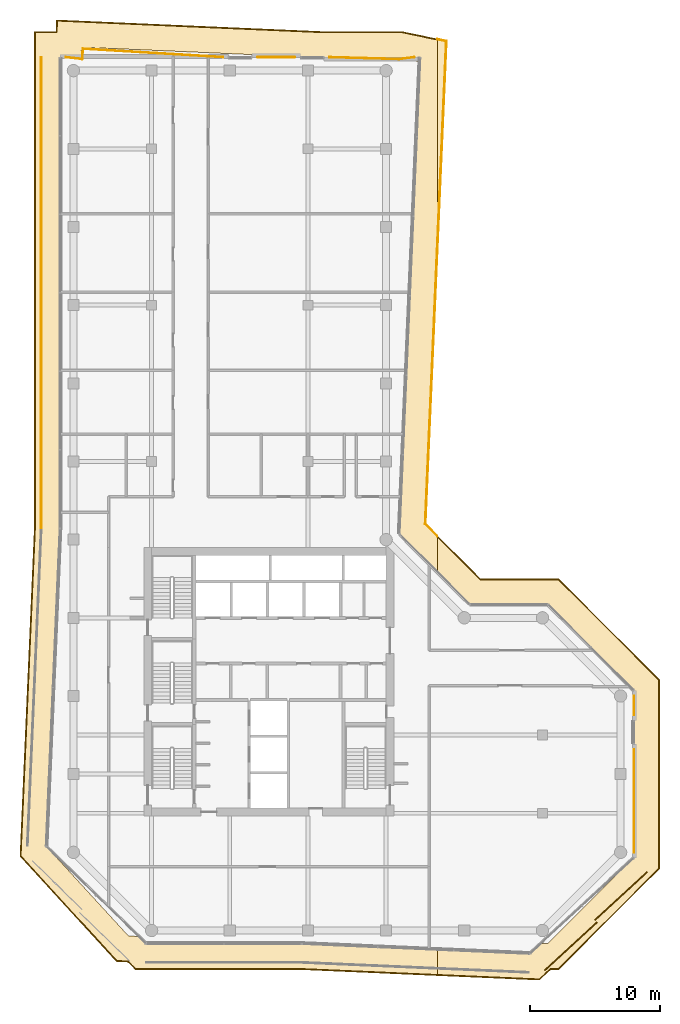
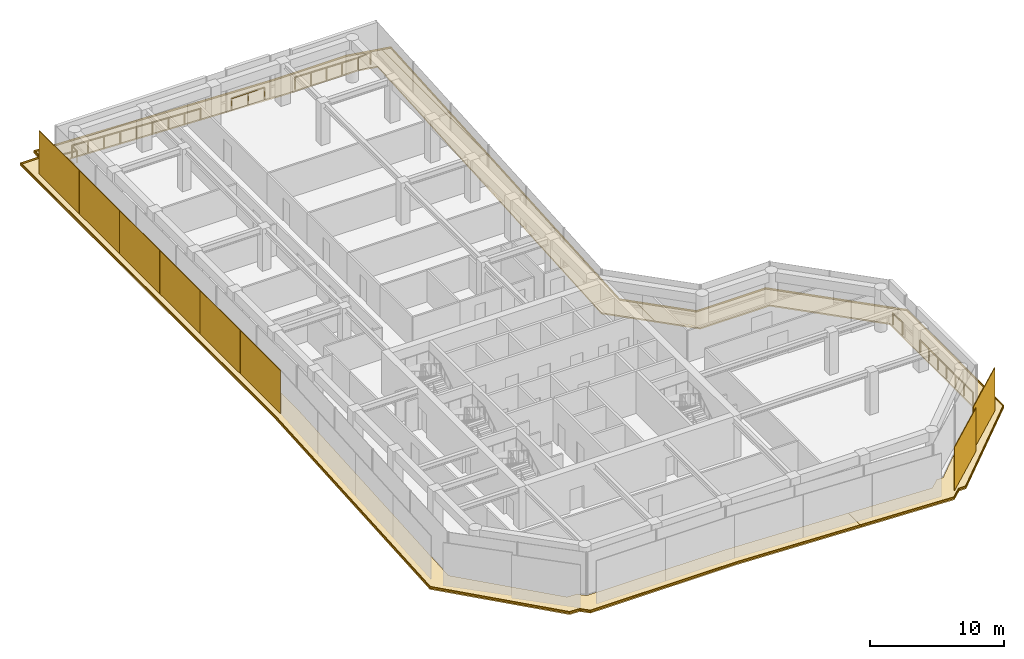
# One storey, part 21 of 21: 15 coverings, 5 railings.
"""IFC4 building model written with IfcOpenShell, lengths in metres."""

from ifc_helpers import new_model, si_unit, direction, frame, origin, origin_2d, place, context, subcontext, project, spatial, polyline, rectangle, circle, outline, extrude, material, layer, layer_set, type_object, element, save


model = new_model("IFC4")

# Units and contexts
model_context = context("Model", 3, precision=1e-05, world=origin(), true_north=direction((0.0, 1.0)))
body_context = subcontext(model_context, "Body", "Model", "MODEL_VIEW")
ifc_project = project(units=[si_unit("LENGTHUNIT", "METRE"), si_unit("AREAUNIT", "SQUARE_METRE"), si_unit("VOLUMEUNIT", "CUBIC_METRE"), si_unit("PLANEANGLEUNIT", "RADIAN"), si_unit("MASSUNIT", "GRAM", prefix="KILO")], contexts=[model_context])

# Site, building, storey
site_placement = place(None, origin())
site = spatial("IfcSite", under=ifc_project, at=site_placement, CompositionType="ELEMENT")
building_placement = place(site_placement, origin())
building = spatial("IfcBuilding", under=site, at=building_placement, Name="Welwitschia Terrace Campus", CompositionType="ELEMENT")
storey_placement = place(building_placement, frame((0.0, 0.0, 159.199951171875)))
storey = spatial("IfcBuildingStorey", under=building, at=storey_placement, Name="L35", CompositionType="ELEMENT", Elevation=159.199951171875)

# Coverings
ifc_material_1 = material(Name="Bronze mesh aluminium screen", Category="aluminium")
ifc_layer_1 = layer(ifc_material_1, 0.06005859375)
ifc_layer_set_1 = layer_set([ifc_layer_1], Name="Bronze mesh aluminium screen")
covering_type_1 = type_object("IfcCoveringType", Name="Bronze screen 60", PredefinedType="USERDEFINED", material=ifc_layer_set_1)
for number, where, z_axis, x_axis, name in (
    (1, (38.18798828125, -5.2041015625, 0.0), (0.0, 0.0, 1.0), (0.735310822995, 0.677730030017, 0.0), "Screen L35.4.0"),
    (2, (42.034912109375, -1.357421875, 0.0), (0.0, 0.0, 1.0), (0.735310822995, 0.677730030017, 0.0), "Screen L35.4.1"),
):
    element("IfcCovering", number, at=place(storey_placement, frame(where, z_axis=z_axis, x_axis=x_axis)), inside=storey, type_object=covering_type_1, Name=name, ObjectType="SCREEN", PredefinedType="USERDEFINED", context=body_context, shape_type="SweptSolid", body=[
        extrude(rectangle(XDim=5.415771484375, YDim=0.06005859375, at=origin_2d()), origin(), (0.0, 0.0, 1.0), 3.949951171875),
    ])
for number, where, z_axis, x_axis, name in (
    (3, (-2.4599609375, 60.0166015625, 0.0), (0.0, 0.0, 1.0), (0.0, -1.0, 0.0), "Screen L35.11.0"),
    (4, (-2.4599609375, 53.98974609375, 0.0), (0.0, 0.0, 1.0), (0.0, -1.0, 0.0), "Screen L35.11.1"),
    (5, (-2.4599609375, 47.962890625, 0.0), (0.0, 0.0, 1.0), (0.0, -1.0, 0.0), "Screen L35.11.2"),
    (6, (-2.4599609375, 41.93603515625, 0.0), (0.0, 0.0, 1.0), (0.0, -1.0, 0.0), "Screen L35.11.3"),
    (7, (-2.4599609375, 35.9091796875, 0.0), (0.0, 0.0, 1.0), (0.0, -1.0, 0.0), "Screen L35.11.4"),
    (8, (-2.4599609375, 29.882568359375, 0.0), (0.0, 0.0, 1.0), (0.0, -1.0, 0.0), "Screen L35.11.5"),
):
    element("IfcCovering", number, at=place(storey_placement, frame(where, z_axis=z_axis, x_axis=x_axis)), inside=storey, type_object=covering_type_1, Name=name, ObjectType="SCREEN", PredefinedType="USERDEFINED", context=body_context, shape_type="SweptSolid", body=[
        extrude(rectangle(XDim=6.0068359375, YDim=0.06005859375, at=origin_2d()), origin(), (0.0, 0.0, 1.0), 3.949951171875),
    ])

# Railings
ifc_material_2 = material(Name="Stainless steel grade 316", Category="steel")
railing_type = type_object("IfcRailingType", Name="Guard 1100", PredefinedType="GUARDRAIL", material=ifc_material_2)
railing_1_placement = place(storey_placement, frame((-0.580078125, 63.030029296875, 0.0)))
element("IfcRailing", 9, at=railing_1_placement, inside=storey, type_object=railing_type, Name="Guard floor edge L35.0", PredefinedType="GUARDRAIL", context=body_context, shape_type="SweptSolid", body=[
    extrude(circle(Radius=0.02392578125, at=origin_2d()), frame((0.0, 0.0, 1.076171875), z_axis=(0.993110225507, -0.117183957921, 0.0), x_axis=(0.117183957921, 0.993110225507, 0.0)), (0.0, 0.0, 1.0), 1.28125),
    extrude(circle(Radius=0.02392578125, at=origin_2d()), frame((1.2724609375, -0.150146484375, 1.076171875), z_axis=(0.043689131465, 0.99904517405, 0.0), x_axis=(-0.99904517405, 0.043689131465, 0.0)), (0.0, 0.0, 1.0), 0.799072265625),
    extrude(circle(Radius=0.02392578125, at=origin_2d()), frame((1.307373046875, 0.648193359375, 1.076171875), z_axis=(0.998191009914, -0.060122439458, 0.0), x_axis=(0.060122439458, 0.998191009914, 0.0)), (0.0, 0.0, 1.0), 10.78125),
    extrude(circle(Radius=0.02099609375, at=origin_2d()), origin(), (0.0, 0.0, 1.0), 1.052001953125),
    extrude(circle(Radius=0.02099609375, at=origin_2d()), frame((1.2724609375, -0.150146484375, 0.0)), (0.0, 0.0, 1.0), 1.052001953125),
    extrude(circle(Radius=0.02099609375, at=origin_2d()), frame((1.307373046875, 0.648193359375, 0.0)), (0.0, 0.0, 1.0), 1.052001953125),
    extrude(circle(Radius=0.02099609375, at=origin_2d()), frame((2.652587890625, 0.567138671875, 0.0)), (0.0, 0.0, 1.0), 1.052001953125),
    extrude(circle(Radius=0.02099609375, at=origin_2d()), frame((3.997802734375, 0.486083984375, 0.0)), (0.0, 0.0, 1.0), 1.052001953125),
    extrude(circle(Radius=0.02099609375, at=origin_2d()), frame((5.343017578125, 0.405029296875, 0.0)), (0.0, 0.0, 1.0), 1.052001953125),
    extrude(circle(Radius=0.02099609375, at=origin_2d()), frame((6.688232421875, 0.32421875, 0.0)), (0.0, 0.0, 1.0), 1.052001953125),
    extrude(circle(Radius=0.02099609375, at=origin_2d()), frame((8.033447265625, 0.2431640625, 0.0)), (0.0, 0.0, 1.0), 1.052001953125),
    extrude(circle(Radius=0.02099609375, at=origin_2d()), frame((9.378662109375, 0.162109375, 0.0)), (0.0, 0.0, 1.0), 1.052001953125),
    extrude(circle(Radius=0.02099609375, at=origin_2d()), frame((10.723876953125, 0.0810546875, 0.0)), (0.0, 0.0, 1.0), 1.052001953125),
    extrude(circle(Radius=0.02099609375, at=origin_2d()), frame((12.069091796875, 0.0, 0.0)), (0.0, 0.0, 1.0), 1.052001953125),
])
railing_2_placement = place(storey_placement, frame((14.14697265625, 63.030029296875, 0.0)))
element("IfcRailing", 10, at=railing_2_placement, inside=storey, type_object=railing_type, Name="Guard floor edge L35.1", PredefinedType="GUARDRAIL", context=body_context, shape_type="SweptSolid", body=[
    extrude(circle(Radius=0.02392578125, at=origin_2d()), frame((0.0, 0.0, 1.076171875), z_axis=(1.0, 0.0, 0.0), x_axis=(0.0, 1.0, 0.0)), (0.0, 0.0, 1.0), 2.842529296875),
    extrude(circle(Radius=0.02099609375, at=origin_2d()), origin(), (0.0, 0.0, 1.0), 1.052001953125),
    extrude(circle(Radius=0.02099609375, at=origin_2d()), frame((1.42138671875, 0.0, 0.0)), (0.0, 0.0, 1.0), 1.052001953125),
    extrude(circle(Radius=0.02099609375, at=origin_2d()), frame((2.842529296875, 0.0, 0.0)), (0.0, 0.0, 1.0), 1.052001953125),
])
railing_3_placement = place(storey_placement, frame((19.658203125, 63.030029296875, 0.0)))
element("IfcRailing", 11, at=railing_3_placement, inside=storey, type_object=railing_type, Name="Guard floor edge L35.2", PredefinedType="GUARDRAIL", context=body_context, shape_type="SweptSolid", body=[
    extrude(circle(Radius=0.02392578125, at=origin_2d()), frame((0.0, 0.0, 1.076171875), z_axis=(0.999603362193, -0.028162355937, 0.0), x_axis=(0.028162355937, 0.999603362193, 0.0)), (0.0, 0.0, 1.0), 5.33154296875),
    extrude(circle(Radius=0.02392578125, at=origin_2d()), frame((5.329345703125, -0.150146484375, 1.076171875), z_axis=(0.991981055885, 0.126386647891, 0.0), x_axis=(-0.126386647891, 0.991981055885, 0.0)), (0.0, 0.0, 1.0), 1.18798828125),
    extrude(circle(Radius=0.02099609375, at=origin_2d()), origin(), (0.0, 0.0, 1.0), 1.052001953125),
    extrude(circle(Radius=0.02099609375, at=origin_2d()), frame((1.332275390625, -0.03759765625, 0.0)), (0.0, 0.0, 1.0), 1.052001953125),
    extrude(circle(Radius=0.02099609375, at=origin_2d()), frame((2.66455078125, -0.0751953125, 0.0)), (0.0, 0.0, 1.0), 1.052001953125),
    extrude(circle(Radius=0.02099609375, at=origin_2d()), frame((3.9970703125, -0.112548828125, 0.0)), (0.0, 0.0, 1.0), 1.052001953125),
    extrude(circle(Radius=0.02099609375, at=origin_2d()), frame((5.329345703125, -0.150146484375, 0.0)), (0.0, 0.0, 1.0), 1.052001953125),
    extrude(circle(Radius=0.02099609375, at=origin_2d()), frame((6.5078125, 0.0, 0.0)), (0.0, 0.0, 1.0), 1.052001953125),
])
railing_4_placement = place(storey_placement, frame((43.030029296875, 9.8896484375, 0.0)))
element("IfcRailing", 12, at=railing_4_placement, inside=storey, type_object=railing_type, Name="Guard floor edge L35.3", PredefinedType="GUARDRAIL", context=body_context, shape_type="SweptSolid", body=[
    extrude(circle(Radius=0.02392578125, at=origin_2d()), frame((0.0, 0.0, 1.076171875), z_axis=(0.0, -1.0, 0.0), x_axis=(1.0, 0.0, 0.0)), (0.0, 0.0, 1.0), 7.892333984375),
    extrude(circle(Radius=0.02099609375, at=origin_2d()), origin(), (0.0, 0.0, 1.0), 1.052001953125),
    extrude(circle(Radius=0.02099609375, at=origin_2d()), frame((0.0, -1.3154296875, 0.0)), (0.0, 0.0, 1.0), 1.052001953125),
    extrude(circle(Radius=0.02099609375, at=origin_2d()), frame((0.0, -2.630859375, 0.0)), (0.0, 0.0, 1.0), 1.052001953125),
    extrude(circle(Radius=0.02099609375, at=origin_2d()), frame((0.0, -3.9462890625, 0.0)), (0.0, 0.0, 1.0), 1.052001953125),
    extrude(circle(Radius=0.02099609375, at=origin_2d()), frame((0.0, -5.261474609375, 0.0)), (0.0, 0.0, 1.0), 1.052001953125),
    extrude(circle(Radius=0.02099609375, at=origin_2d()), frame((0.0, -6.576904296875, 0.0)), (0.0, 0.0, 1.0), 1.052001953125),
    extrude(circle(Radius=0.02099609375, at=origin_2d()), frame((0.0, -7.892333984375, 0.0)), (0.0, 0.0, 1.0), 1.052001953125),
])
railing_5_placement = place(storey_placement, frame((43.030029296875, 14.0029296875, 0.0)))
element("IfcRailing", 13, at=railing_5_placement, inside=storey, type_object=railing_type, Name="Guard floor edge L35.4", PredefinedType="GUARDRAIL", context=body_context, shape_type="SweptSolid", body=[
    extrude(circle(Radius=0.02392578125, at=origin_2d()), frame((0.0, 0.0, 1.076171875), z_axis=(0.0, -1.0, 0.0), x_axis=(1.0, 0.0, 0.0)), (0.0, 0.0, 1.0), 1.4658203125),
    extrude(circle(Radius=0.02099609375, at=origin_2d()), origin(), (0.0, 0.0, 1.0), 1.052001953125),
    extrude(circle(Radius=0.02099609375, at=origin_2d()), frame((0.0, -1.4658203125, 0.0)), (0.0, 0.0, 1.0), 1.052001953125),
])

# Coverings
ifc_material_3 = material(Name="Bronze anodised aluminium", Category="aluminium")
ifc_layer_2 = layer(ifc_material_3, 0.1201171875)
ifc_layer_set_2 = layer_set([ifc_layer_2], Name="Bronze anodised aluminium")
covering_type_2 = type_object("IfcCoveringType", Name="Sunshade band 2000", PredefinedType="USERDEFINED", material=ifc_layer_set_2)
covering_1_placement = place(storey_placement, frame((0.0, 0.0, -0.25)))
element("IfcCovering", 14, at=covering_1_placement, inside=storey, type_object=covering_type_2, Name="SUNSHADE L35.SW0", ObjectType="SUNSHADE", PredefinedType="USERDEFINED", context=body_context, shape_type="SweptSolid", body=[
    extrude(outline(polyline([(-1.298095703125, 65.888671875), (19.055419921875, 65.0), (25.2060546875, 65.0), (27.933837890625, 64.431884765625), (27.933837890625, 47.64404296875), (27.041259765625, 27.201416015625), (27.933837890625, 26.308837890625), (27.933837890625, 23.48046875), (25.004638671875, 26.409423828125), (26.587890625, 62.669189453125), (25.0, 63.0), (19.01171875, 63.0), (0.612548828125, 63.80322265625), (0.577392578125, 63.0), (-1.0, 63.0), (-1.0, 26.868408203125), (-2.066162109375, 2.447509765625), (4.22607421875, -4.419189453125), (5.04052734375, -4.454833984375), (5.585693359375, -5.0), (17.52783203125, -5.0), (27.933837890625, -5.454345703125), (27.933837890625, -7.456298828125), (17.484130859375, -7.0), (4.75732421875, -7.0), (4.17626953125, -6.4189453125), (3.31103515625, -6.381103515625), (-4.1005859375, 1.707275390625), (-3.0, 26.912109375), (-3.0, 65.0), (-1.3369140625, 65.0), (-1.298095703125, 65.888671875)])), origin(), (0.0, 0.0, 1.0), 0.1201171875),
])
covering_2_placement = place(storey_placement, frame((0.0, 0.0, -0.25)))
element("IfcCovering", 15, at=covering_2_placement, inside=storey, type_object=covering_type_2, Name="SUNSHADE L35.SE0", ObjectType="SUNSHADE", PredefinedType="USERDEFINED", context=body_context, shape_type="SweptSolid", body=[
    extrude(outline(polyline([(28.66015625, 64.280517578125), (27.933837890625, 47.64404296875), (27.933837890625, 64.431884765625), (28.66015625, 64.280517578125)])), origin(), (0.0, 0.0, 1.0), 0.1201171875),
])
covering_3_placement = place(storey_placement, frame((0.0, 0.0, -0.25)))
element("IfcCovering", 16, at=covering_3_placement, inside=storey, type_object=covering_type_2, Name="SUNSHADE L35.SE1", ObjectType="SUNSHADE", PredefinedType="USERDEFINED", context=body_context, shape_type="SweptSolid", body=[
    extrude(outline(polyline([(31.24267578125, 23.0), (37.24267578125, 23.0), (45.0, 15.24267578125), (45.0, 0.75732421875), (37.24267578125, -7.0), (36.63671875, -7.0), (35.765380859375, -7.798095703125), (27.933837890625, -7.456298828125), (27.933837890625, -5.454345703125), (35.025146484375, -5.763916015625), (35.85888671875, -5.0), (36.414306640625, -5.0), (43.0, 1.585693359375), (43.0, 14.414306640625), (36.414306640625, 21.0), (30.414306640625, 21.0), (27.933837890625, 23.48046875), (27.933837890625, 26.308837890625), (31.24267578125, 23.0)])), origin(), (0.0, 0.0, 1.0), 0.1201171875),
])
ifc_material_4 = material(Name="Bronze anodised aluminium", Category="aluminium")
ifc_layer_3 = layer(ifc_material_4, 0.06005859375)
ifc_layer_set_3 = layer_set([ifc_layer_3], Name="Bronze anodised aluminium")
covering_type_3 = type_object("IfcCoveringType", Name="Sunshade lip 60", PredefinedType="USERDEFINED", material=ifc_layer_set_3)
covering_4_placement = place(storey_placement, frame((0.0, 0.0, -0.1298828125)))
element("IfcCovering", 17, at=covering_4_placement, inside=storey, type_object=covering_type_3, Name="SUNSHADE LIP L35.SW0.0", ObjectType="SUNSHADE", PredefinedType="USERDEFINED", context=body_context, shape_type="SweptSolid", body=[
    extrude(outline(polyline([(19.055419921875, 65.0), (25.2060546875, 65.0), (27.933837890625, 64.431884765625), (27.933837890625, 64.37060546875), (25.199951171875, 64.93994140625), (19.053955078125, 64.93994140625), (-1.240966796875, 65.826171875), (-1.279541015625, 64.93994140625), (-2.93994140625, 64.93994140625), (-2.93994140625, 26.910888671875), (-4.039306640625, 1.7294921875), (3.338623046875, -6.322265625), (4.202392578125, -6.360107421875), (4.7822265625, -6.93994140625), (17.485595703125, -6.93994140625), (27.933837890625, -7.396240234375), (27.933837890625, -7.456298828125), (17.484130859375, -7.0), (4.75732421875, -7.0), (4.17626953125, -6.4189453125), (3.31103515625, -6.381103515625), (-4.1005859375, 1.707275390625), (-3.0, 26.912109375), (-3.0, 65.0), (-1.3369140625, 65.0), (-1.298095703125, 65.888671875), (19.055419921875, 65.0)])), origin(), (0.0, 0.0, 1.0), 0.1298828125),
])
covering_5_placement = place(storey_placement, frame((0.0, 0.0, -0.1298828125)))
element("IfcCovering", 18, at=covering_5_placement, inside=storey, type_object=covering_type_3, Name="SUNSHADE LIP L35.SW0.1", ObjectType="SUNSHADE", PredefinedType="USERDEFINED", context=body_context, shape_type="SweptSolid", body=[
    extrude(outline(polyline([(27.933837890625, 47.64404296875), (27.041259765625, 27.201416015625), (27.933837890625, 26.308837890625), (27.933837890625, 26.22412109375), (26.97998046875, 27.177734375), (27.933837890625, 49.019775390625), (27.933837890625, 47.64404296875)])), origin(), (0.0, 0.0, 1.0), 0.1298828125),
])
covering_6_placement = place(storey_placement, frame((0.0, 0.0, -0.1298828125)))
element("IfcCovering", 19, at=covering_6_placement, inside=storey, type_object=covering_type_3, Name="SUNSHADE LIP L35.SE0.0", ObjectType="SUNSHADE", PredefinedType="USERDEFINED", context=body_context, shape_type="SweptSolid", body=[
    extrude(outline(polyline([(27.933837890625, 47.64404296875), (27.933837890625, 49.019775390625), (28.597900390625, 64.232177734375), (27.933837890625, 64.37060546875), (27.933837890625, 64.431884765625), (28.66015625, 64.280517578125), (27.933837890625, 47.64404296875)])), origin(), (0.0, 0.0, 1.0), 0.1298828125),
])
covering_7_placement = place(storey_placement, frame((0.0, 0.0, -0.1298828125)))
element("IfcCovering", 20, at=covering_7_placement, inside=storey, type_object=covering_type_3, Name="SUNSHADE LIP L35.SE1.0", ObjectType="SUNSHADE", PredefinedType="USERDEFINED", context=body_context, shape_type="SweptSolid", body=[
    extrude(outline(polyline([(37.24267578125, 23.0), (45.0, 15.24267578125), (45.0, 0.75732421875), (37.24267578125, -7.0), (36.63671875, -7.0), (35.765380859375, -7.798095703125), (27.933837890625, -7.456298828125), (27.933837890625, -7.396240234375), (35.743408203125, -7.7373046875), (36.61328125, -6.93994140625), (37.2177734375, -6.93994140625), (44.93994140625, 0.7822265625), (44.93994140625, 15.2177734375), (37.2177734375, 22.93994140625), (31.2177734375, 22.93994140625), (27.933837890625, 26.22412109375), (27.933837890625, 26.308837890625), (31.24267578125, 23.0), (37.24267578125, 23.0)])), origin(), (0.0, 0.0, 1.0), 0.1298828125),
])

save(model, "model.ifc")
